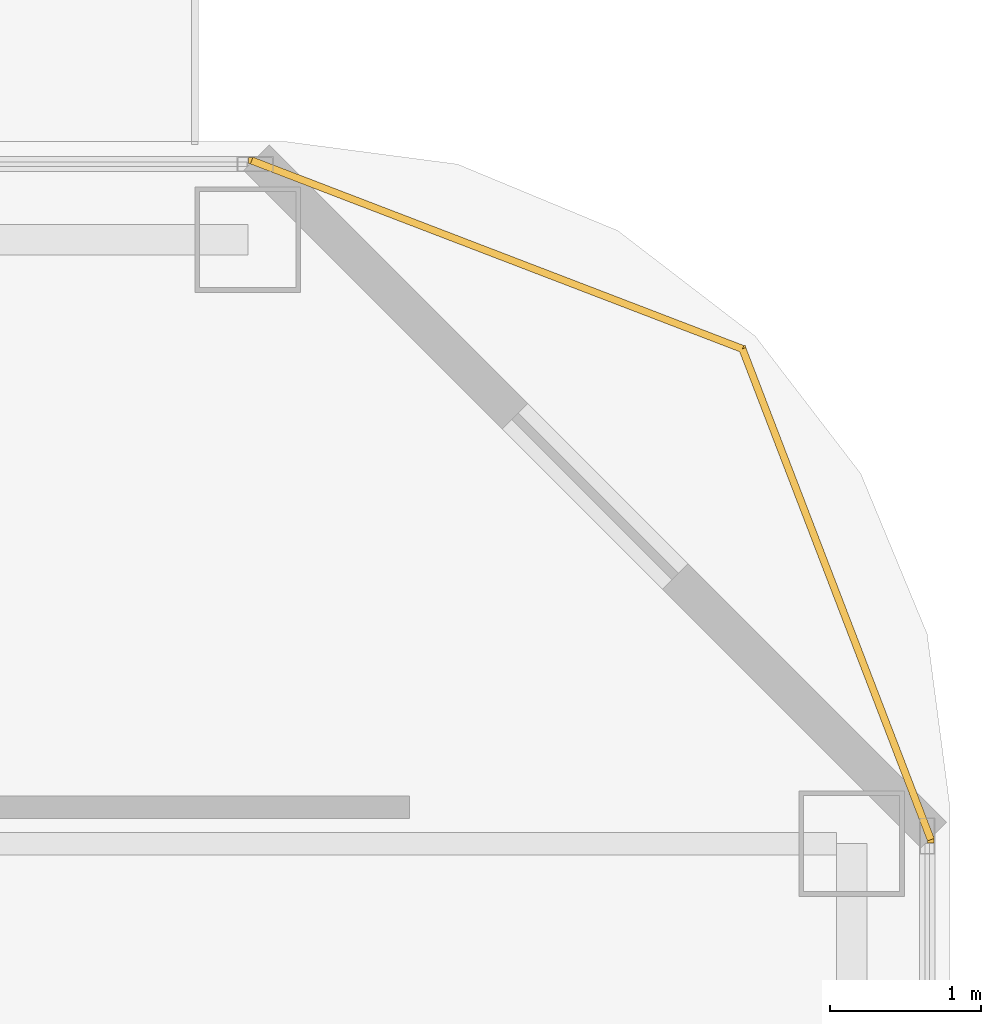
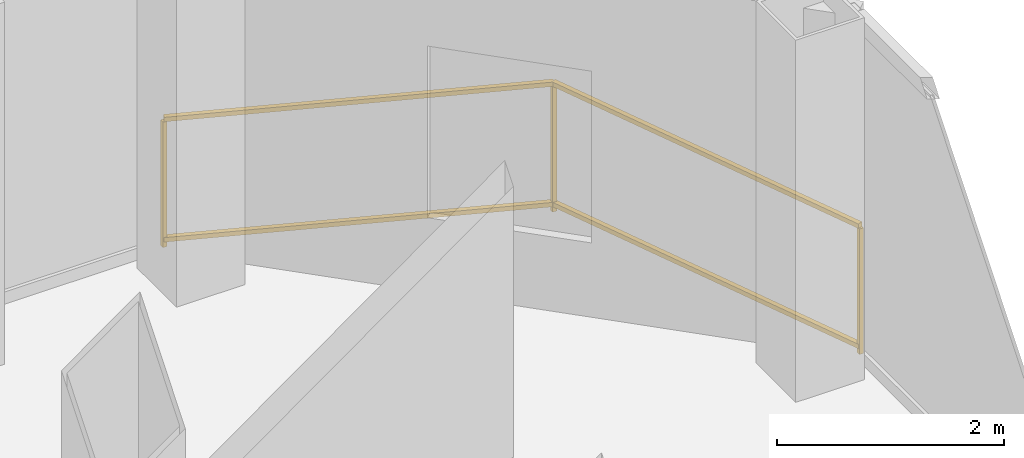
# One storey, part 34 of 34: 1 railing.
"""IFC4 building model written with IfcOpenShell, lengths in metres."""

from ifc_helpers import new_model, si_unit, direction, frame, origin, origin_2d, place, context, subcontext, project, spatial, rectangle, extrude, material, type_object, element, save


model = new_model("IFC4")

# Units and contexts
model_context = context("Model", 3, precision=1e-05, world=origin(), true_north=direction((0.0, 1.0)))
body_context = subcontext(model_context, "Body", "Model", "MODEL_VIEW")
ifc_project = project(units=[si_unit("LENGTHUNIT", "METRE"), si_unit("AREAUNIT", "SQUARE_METRE"), si_unit("VOLUMEUNIT", "CUBIC_METRE"), si_unit("PLANEANGLEUNIT", "RADIAN"), si_unit("MASSUNIT", "GRAM", prefix="KILO")], contexts=[model_context])

# Site, building, storey
site_placement = place(None, origin())
site = spatial("IfcSite", under=ifc_project, at=site_placement, CompositionType="ELEMENT")
building_placement = place(site_placement, origin())
building = spatial("IfcBuilding", under=site, at=building_placement, Name="Khorvyn Point Tower", CompositionType="ELEMENT")
storey_placement = place(building_placement, frame((0.0, 0.0, 175.800048828125)))
storey = spatial("IfcBuildingStorey", under=building, at=storey_placement, Name="L43", CompositionType="ELEMENT", Elevation=175.800048828125)

# Railing
ifc_material = material(Name="Anodised aluminium 6063-T6 and laminated safety glass", Category="aluminium")
railing_type = type_object("IfcRailingType", Name="Laminated Glass and Aluminium Balcony Guardrail 1400", PredefinedType="BALUSTRADE", material=ifc_material)
railing_placement = place(storey_placement, frame((21.774169921875, 19.176025390625, 0.0)))
element("IfcRailing", 1, at=railing_placement, inside=storey, type_object=railing_type, Name="L43 Rounded Corner Edge Guardrail NE", PredefinedType="BALUSTRADE", context=body_context, shape_type="SweptSolid", body=[
    extrude(rectangle(XDim=0.048095703125, YDim=0.048095703125, at=origin_2d()), frame((0.0, 0.0, 1.3759765625), z_axis=(-0.358382264808, 0.933574931257, 0.0), x_axis=(-0.933574931257, -0.358382264808, 0.0)), (0.0, 0.0, 1.0), 3.481689453125),
    extrude(rectangle(XDim=0.048095703125, YDim=0.048095703125, at=origin_2d()), frame((0.0, 0.0, 0.080078125), z_axis=(-0.358382264808, 0.933574931257, 0.0), x_axis=(-0.933574931257, -0.358382264808, 0.0)), (0.0, 0.0, 1.0), 3.481689453125),
    extrude(rectangle(XDim=0.048095703125, YDim=0.048095703125, at=origin_2d()), frame((-1.247802734375, 3.25048828125, 1.3759765625), z_axis=(-0.933598390295, 0.358321148746, 0.0), x_axis=(-0.358321148746, -0.933598390295, 0.0)), (0.0, 0.0, 1.0), 3.481689453125),
    extrude(rectangle(XDim=0.048095703125, YDim=0.048095703125, at=origin_2d()), frame((-1.247802734375, 3.25048828125, 0.080078125), z_axis=(-0.933598390295, 0.358321148746, 0.0), x_axis=(-0.358321148746, -0.933598390295, 0.0)), (0.0, 0.0, 1.0), 3.481689453125),
    extrude(rectangle(XDim=0.0419921875, YDim=0.0419921875, at=origin_2d()), origin(), (0.0, 0.0, 1.0), 1.351806640625),
    extrude(rectangle(XDim=0.0419921875, YDim=0.0419921875, at=origin_2d()), frame((-1.247802734375, 3.25048828125, 0.0)), (0.0, 0.0, 1.0), 1.351806640625),
    extrude(rectangle(XDim=0.0419921875, YDim=0.0419921875, at=origin_2d()), frame((-4.498291015625, 4.498046875, 0.0)), (0.0, 0.0, 1.0), 1.351806640625),
])

save(model, "model.ifc")
